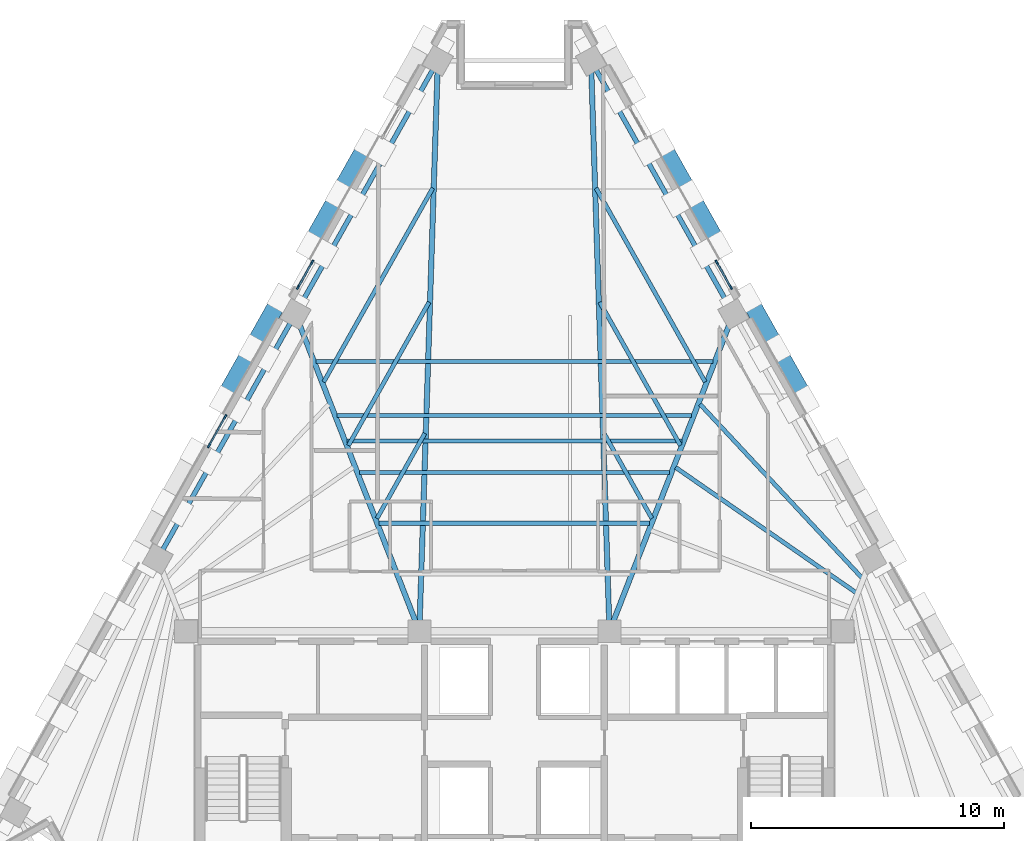
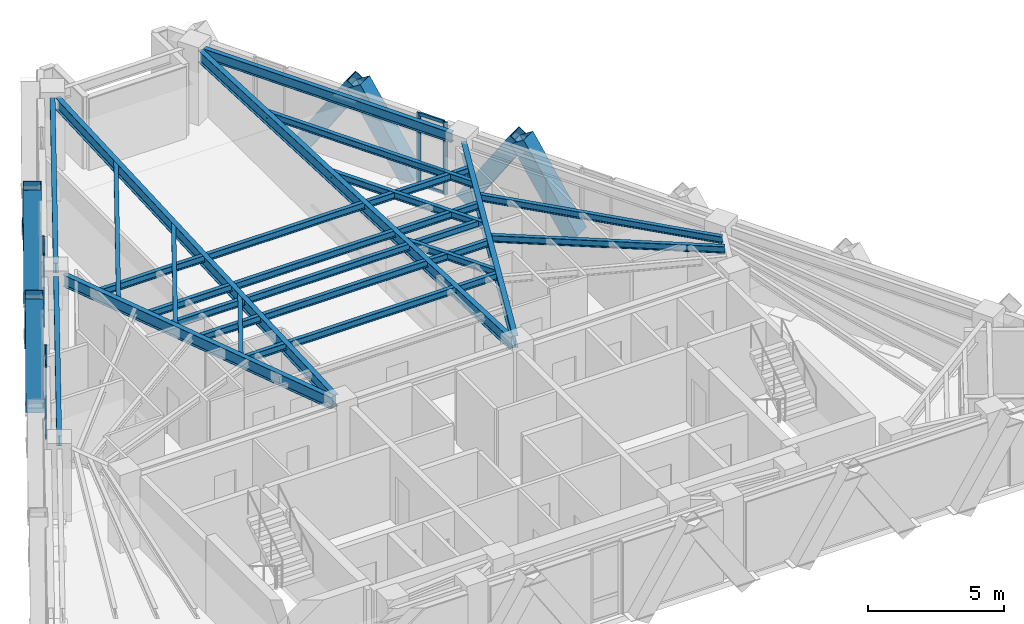
# One storey, part 3 of 12: 23 members, 20 beams, 3 elements without a shape of their own.
"""IFC4 building model written with IfcOpenShell, lengths in metres."""

from ifc_helpers import new_model, si_unit, direction, frame, origin, origin_2d, place, context, subcontext, project, spatial, rectangle, hollow_rectangle, i_section, extrude, material, material_profile, profile_set, type_object, element, aggregate, save


model = new_model("IFC4")

# Units and contexts
model_context = context("Model", 3, precision=1e-05, world=origin(), true_north=direction((0.0, 1.0)))
body_context = subcontext(model_context, "Body", "Model", "MODEL_VIEW")
ifc_project = project(units=[si_unit("LENGTHUNIT", "METRE"), si_unit("AREAUNIT", "SQUARE_METRE"), si_unit("VOLUMEUNIT", "CUBIC_METRE"), si_unit("PLANEANGLEUNIT", "RADIAN"), si_unit("MASSUNIT", "GRAM", prefix="KILO")], contexts=[model_context])

# Site, building, storey
site_placement = place(None, origin())
site = spatial("IfcSite", under=ifc_project, at=site_placement, CompositionType="ELEMENT")
building_placement = place(site_placement, origin())
building = spatial("IfcBuilding", under=site, at=building_placement, Name="Quenlor Broadcast Tower", CompositionType="ELEMENT")
storey_placement = place(building_placement, frame((0.0, 0.0, 186.89990234375)))
storey = spatial("IfcBuildingStorey", under=building, at=storey_placement, Name="L51", CompositionType="ELEMENT", Elevation=186.89990234375)

# Curtain wall, members
ifc_material_1 = material(Name="Architectural Terracotta and Low-E Glazing", Category="masonry")
curtain_wall_type = type_object("IfcCurtainWallType", Name="Unitised Terracotta Curtain Wall System Z4", PredefinedType="NOTDEFINED", material=ifc_material_1)
curtain_wall_1_placement = place(storey_placement, origin())
curtain_wall_1 = element("IfcCurtainWall", 1, at=curtain_wall_1_placement, inside=storey, type_object=curtain_wall_type, Name="L51 Curtain Wall CW4 (L51-NEA-G2)", PredefinedType="NOTDEFINED")
ifc_material_2 = material(Name="Aluminium 6063-T6", Category="aluminium")
ifc_material_profile_1 = material_profile(ifc_material_2, rectangle(XDim=0.068115234375, YDim=0.179931640625, at=origin_2d()))
ifc_profile_set_1 = profile_set([ifc_material_profile_1], Name="Aluminium 6063-T6 MULL68x180")
member_type_1 = type_object("IfcMemberType", Name="CW4 Aluminium Mullion MULL_CW4", PredefinedType="MULLION", material=ifc_profile_set_1)
member_1_placement = place(storey_placement, frame((7.979248046875, 9.755859375, 0.0), z_axis=(0.0, 0.0, 1.0), x_axis=(0.871557755022, 0.490292850918, 0.0)))
member_1 = element("IfcMember", 2, at=member_1_placement, type_object=member_type_1, Name="CW4 mullion 1", PredefinedType="MULLION", context=body_context, shape_type="SweptSolid", body=[
    extrude(rectangle(XDim=0.068115234375, YDim=0.179931640625, at=origin_2d()), origin(), (0.0, 0.0, 1.0), 3.25),
])
member_2_placement = place(storey_placement, frame((8.534912109375, 8.767822265625, 0.0), z_axis=(0.0, 0.0, 1.0), x_axis=(0.871557755022, 0.490292850918, 0.0)))
member_2 = element("IfcMember", 3, at=member_2_placement, type_object=member_type_1, Name="CW4 mullion 2", PredefinedType="MULLION", context=body_context, shape_type="SweptSolid", body=[
    extrude(rectangle(XDim=0.068115234375, YDim=0.179931640625, at=origin_2d()), origin(), (0.0, 0.0, 1.0), 3.25),
])

curtain_wall_2_placement = place(storey_placement, origin())
curtain_wall_2 = element("IfcCurtainWall", 4, at=curtain_wall_2_placement, inside=storey, type_object=curtain_wall_type, Name="L51 Curtain Wall CW4 (L51-NWC-G1)", PredefinedType="NOTDEFINED")
member_3_placement = place(storey_placement, frame((-8.534912109375, 8.767822265625, 0.0), z_axis=(0.0, 0.0, 1.0), x_axis=(-0.871557755022, 0.490292850918, 0.0)))
member_3 = element("IfcMember", 5, at=member_3_placement, type_object=member_type_1, Name="CW4 mullion 1", PredefinedType="MULLION", context=body_context, shape_type="SweptSolid", body=[
    extrude(rectangle(XDim=0.068115234375, YDim=0.179931640625, at=origin_2d()), origin(), (0.0, 0.0, 1.0), 3.25),
])
member_4_placement = place(storey_placement, frame((-7.979248046875, 9.755859375, 0.0), z_axis=(0.0, 0.0, 1.0), x_axis=(-0.871557755022, 0.490292850918, 0.0)))
member_4 = element("IfcMember", 6, at=member_4_placement, type_object=member_type_1, Name="CW4 mullion 2", PredefinedType="MULLION", context=body_context, shape_type="SweptSolid", body=[
    extrude(rectangle(XDim=0.068115234375, YDim=0.179931640625, at=origin_2d()), origin(), (0.0, 0.0, 1.0), 3.25),
])

curtain_wall_3_placement = place(storey_placement, origin())
curtain_wall_3 = element("IfcCurtainWall", 7, at=curtain_wall_3_placement, inside=storey, type_object=curtain_wall_type, Name="L51 Curtain Wall CW4 (L51-NW-G1)", PredefinedType="NOTDEFINED")
member_5_placement = place(storey_placement, frame((-12.049560546875, 2.519775390625, 0.0), z_axis=(0.0, 0.0, 1.0), x_axis=(-0.871560008943, 0.490288844266, 0.0)))
member_5 = element("IfcMember", 8, at=member_5_placement, type_object=member_type_1, Name="CW4 mullion 1", PredefinedType="MULLION", context=body_context, shape_type="SweptSolid", body=[
    extrude(rectangle(XDim=0.068115234375, YDim=0.179931640625, at=origin_2d()), origin(), (0.0, 0.0, 1.0), 3.25),
])
member_6_placement = place(storey_placement, frame((-11.408203125, 3.65966796875, 0.0), z_axis=(0.0, 0.0, 1.0), x_axis=(-0.871560008943, 0.490288844266, 0.0)))
member_6 = element("IfcMember", 9, at=member_6_placement, type_object=member_type_1, Name="CW4 mullion 2", PredefinedType="MULLION", context=body_context, shape_type="SweptSolid", body=[
    extrude(rectangle(XDim=0.068115234375, YDim=0.179931640625, at=origin_2d()), origin(), (0.0, 0.0, 1.0), 3.25),
])

# Member
ifc_material_3 = material(Name="Aluminium 6063-T6", Category="aluminium")
ifc_material_profile_2 = material_profile(ifc_material_3, rectangle(XDim=0.068115234375, YDim=0.14990234375, at=origin_2d()))
ifc_profile_set_2 = profile_set([ifc_material_profile_2], Name="Aluminium 6063-T6 TRAN68x150")
member_type_2 = type_object("IfcMemberType", Name="CW4 Aluminium Transom TRAN_CW4", PredefinedType="USERDEFINED", material=ifc_profile_set_2)
member_7_placement = place(storey_placement, frame((7.995849609375, 9.72607421875, 0.0341796875), z_axis=(0.490304750356, -0.871551060913, 0.0), x_axis=(0.871551060913, 0.490304750356, 0.0)))
member_7 = element("IfcMember", 10, at=member_7_placement, type_object=member_type_2, Name="CW4 transom 1.1", ObjectType="TRANSOM", PredefinedType="USERDEFINED", context=body_context, shape_type="SweptSolid", body=[
    extrude(rectangle(XDim=0.068115234375, YDim=0.14990234375, at=origin_2d()), origin(), (0.0, 0.0, 1.0), 1.065673828125),
])

member_8_placement = place(storey_placement, frame((7.995849609375, 9.72607421875, 0.9501953125), z_axis=(0.490304750356, -0.871551060913, 0.0), x_axis=(0.871551060913, 0.490304750356, 0.0)))
member_8 = element("IfcMember", 11, at=member_8_placement, type_object=member_type_2, Name="CW4 transom 1.2", ObjectType="TRANSOM", PredefinedType="USERDEFINED", context=body_context, shape_type="SweptSolid", body=[
    extrude(rectangle(XDim=0.068115234375, YDim=0.14990234375, at=origin_2d()), origin(), (0.0, 0.0, 1.0), 1.065673828125),
])

member_9_placement = place(storey_placement, frame((7.995849609375, 9.72607421875, 3.216064453125), z_axis=(0.490304750356, -0.871551060913, 0.0), x_axis=(0.871551060913, 0.490304750356, 0.0)))
member_9 = element("IfcMember", 12, at=member_9_placement, type_object=member_type_2, Name="CW4 transom 1.3", ObjectType="TRANSOM", PredefinedType="USERDEFINED", context=body_context, shape_type="SweptSolid", body=[
    extrude(rectangle(XDim=0.068115234375, YDim=0.14990234375, at=origin_2d()), origin(), (0.0, 0.0, 1.0), 1.065673828125),
])

aggregate(curtain_wall_1, [member_1, member_2, member_7, member_8, member_9])

member_10_placement = place(storey_placement, frame((-8.518310546875, 8.79736328125, 0.0341796875), z_axis=(0.490304750356, 0.871551060913, 0.0), x_axis=(-0.871551060913, 0.490304750356, 0.0)))
member_10 = element("IfcMember", 13, at=member_10_placement, type_object=member_type_2, Name="CW4 transom 1.1", ObjectType="TRANSOM", PredefinedType="USERDEFINED", context=body_context, shape_type="SweptSolid", body=[
    extrude(rectangle(XDim=0.068115234375, YDim=0.14990234375, at=origin_2d()), origin(), (0.0, 0.0, 1.0), 1.065673828125),
])

member_11_placement = place(storey_placement, frame((-8.518310546875, 8.79736328125, 0.9501953125), z_axis=(0.490304750356, 0.871551060913, 0.0), x_axis=(-0.871551060913, 0.490304750356, 0.0)))
member_11 = element("IfcMember", 14, at=member_11_placement, type_object=member_type_2, Name="CW4 transom 1.2", ObjectType="TRANSOM", PredefinedType="USERDEFINED", context=body_context, shape_type="SweptSolid", body=[
    extrude(rectangle(XDim=0.068115234375, YDim=0.14990234375, at=origin_2d()), origin(), (0.0, 0.0, 1.0), 1.065673828125),
])

member_12_placement = place(storey_placement, frame((-8.518310546875, 8.79736328125, 3.216064453125), z_axis=(0.490304750356, 0.871551060913, 0.0), x_axis=(-0.871551060913, 0.490304750356, 0.0)))
member_12 = element("IfcMember", 15, at=member_12_placement, type_object=member_type_2, Name="CW4 transom 1.3", ObjectType="TRANSOM", PredefinedType="USERDEFINED", context=body_context, shape_type="SweptSolid", body=[
    extrude(rectangle(XDim=0.068115234375, YDim=0.14990234375, at=origin_2d()), origin(), (0.0, 0.0, 1.0), 1.065673828125),
])

aggregate(curtain_wall_2, [member_3, member_4, member_10, member_11, member_12])

member_13_placement = place(storey_placement, frame((-12.032958984375, 2.54931640625, 0.0341796875), z_axis=(0.490233197009, 0.871591310506, 0.0), x_axis=(-0.871591310506, 0.490233197009, 0.0)))
member_13 = element("IfcMember", 16, at=member_13_placement, type_object=member_type_2, Name="CW4 transom 1.1", ObjectType="TRANSOM", PredefinedType="USERDEFINED", context=body_context, shape_type="SweptSolid", body=[
    extrude(rectangle(XDim=0.068115234375, YDim=0.14990234375, at=origin_2d()), origin(), (0.0, 0.0, 1.0), 1.239990234375),
])

member_14_placement = place(storey_placement, frame((-12.032958984375, 2.54931640625, 0.9501953125), z_axis=(0.490233197009, 0.871591310506, 0.0), x_axis=(-0.871591310506, 0.490233197009, 0.0)))
member_14 = element("IfcMember", 17, at=member_14_placement, type_object=member_type_2, Name="CW4 transom 1.2", ObjectType="TRANSOM", PredefinedType="USERDEFINED", context=body_context, shape_type="SweptSolid", body=[
    extrude(rectangle(XDim=0.068115234375, YDim=0.14990234375, at=origin_2d()), origin(), (0.0, 0.0, 1.0), 1.239990234375),
])

member_15_placement = place(storey_placement, frame((-12.032958984375, 2.54931640625, 3.216064453125), z_axis=(0.490233197009, 0.871591310506, 0.0), x_axis=(-0.871591310506, 0.490233197009, 0.0)))
member_15 = element("IfcMember", 18, at=member_15_placement, type_object=member_type_2, Name="CW4 transom 1.3", ObjectType="TRANSOM", PredefinedType="USERDEFINED", context=body_context, shape_type="SweptSolid", body=[
    extrude(rectangle(XDim=0.068115234375, YDim=0.14990234375, at=origin_2d()), origin(), (0.0, 0.0, 1.0), 1.239990234375),
])

aggregate(curtain_wall_3, [member_5, member_6, member_13, member_14, member_15])

# Members
ifc_material_4 = material(Name="Steel S355", Category="steel")
ifc_material_profile_3 = material_profile(ifc_material_4, hollow_rectangle(XDim=0.679931640625, YDim=0.679931640625, WallThickness=0.02490234375, at=origin_2d()))
ifc_profile_set_3 = profile_set([ifc_material_profile_3], Name="Steel S355 RHS680x680x25")
member_type_3 = type_object("IfcMemberType", Name="Perimeter Diagonal Lattice Brace Z3-Z4 Steel S355 RHS680x25", PredefinedType="BRACE", material=ifc_profile_set_3)
member_16_placement = place(storey_placement, frame((5.79345703125, 14.447509765625, -0.119873046875), z_axis=(0.269485495908, -0.479188912076, 0.835317636614), x_axis=(0.871620820774, 0.490180726664, 0.0)))
element("IfcMember", 19, at=member_16_placement, inside=storey, type_object=member_type_3, Name="L51 Perimeter Diamond Lattice NE-C1S", PredefinedType="BRACE", context=body_context, shape_type="SweptSolid", body=[
    extrude(hollow_rectangle(XDim=0.679931640625, YDim=0.679931640625, WallThickness=0.02490234375, at=origin_2d()), origin(), (0.0, 0.0, 1.0), 4.18994140625),
])
member_17_placement = place(storey_placement, frame((9.222412109375, 8.351318359375, -0.119873046875), z_axis=(0.269539530269, -0.479181387144, 0.835304519224), x_axis=(0.871575537125, 0.490261239633, 0.0)))
element("IfcMember", 20, at=member_17_placement, inside=storey, type_object=member_type_3, Name="L51 Perimeter Diamond Lattice NE-C2S", PredefinedType="BRACE", context=body_context, shape_type="SweptSolid", body=[
    extrude(hollow_rectangle(XDim=0.679931640625, YDim=0.679931640625, WallThickness=0.02490234375, at=origin_2d()), origin(), (0.0, 0.0, 1.0), 4.190185546875),
])
for number, where, z_axis, x_axis, name in (
    (21, (8.065673828125, 10.40771484375, -0.119873046875), (-0.269547055694, 0.479136497832, 0.835327840559), (-0.871550060774, -0.49030652817, 0.0), "L51 Perimeter Diamond Lattice NE-C2B"),
    (22, (11.494873046875, 4.3115234375, -0.119873046875), (-0.269547055694, 0.479136497832, 0.835327840559), (-0.871550060774, -0.49030652817, 0.0), "L51 Perimeter Diamond Lattice NE-C3B"),
    (23, (-11.494873046875, 4.3115234375, -0.119873046875), (0.269547055694, 0.479136497832, 0.835327840559), (-0.871550060774, 0.49030652817, 0.0), "L51 Perimeter Diamond Lattice NW-C3S"),
    (24, (-8.065673828125, 10.40771484375, -0.119873046875), (0.269547055694, 0.479136497832, 0.835327840559), (-0.871550060774, 0.49030652817, 0.0), "L51 Perimeter Diamond Lattice NW-C4S"),
):
    element("IfcMember", number, at=place(storey_placement, frame(where, z_axis=z_axis, x_axis=x_axis)), inside=storey, type_object=member_type_3, Name=name, PredefinedType="BRACE", context=body_context, shape_type="SweptSolid", body=[
        extrude(hollow_rectangle(XDim=0.679931640625, YDim=0.679931640625, WallThickness=0.02490234375, at=origin_2d()), origin(), (0.0, 0.0, 1.0), 4.18994140625),
    ])
member_18_placement = place(storey_placement, frame((-9.222412109375, 8.351318359375, -0.119873046875), z_axis=(-0.269539530269, -0.479181387144, 0.835304519224), x_axis=(0.871575537125, -0.490261239633, 0.0)))
element("IfcMember", 25, at=member_18_placement, inside=storey, type_object=member_type_3, Name="L51 Perimeter Diamond Lattice NW-C4B", PredefinedType="BRACE", context=body_context, shape_type="SweptSolid", body=[
    extrude(hollow_rectangle(XDim=0.679931640625, YDim=0.679931640625, WallThickness=0.02490234375, at=origin_2d()), origin(), (0.0, 0.0, 1.0), 4.190185546875),
])
member_19_placement = place(storey_placement, frame((-5.79345703125, 14.447509765625, -0.119873046875), z_axis=(-0.269485495908, -0.479188912076, 0.835317636614), x_axis=(0.871620820774, -0.490180726664, 0.0)))
element("IfcMember", 26, at=member_19_placement, inside=storey, type_object=member_type_3, Name="L51 Perimeter Diamond Lattice NW-C5B", PredefinedType="BRACE", context=body_context, shape_type="SweptSolid", body=[
    extrude(hollow_rectangle(XDim=0.679931640625, YDim=0.679931640625, WallThickness=0.02490234375, at=origin_2d()), origin(), (0.0, 0.0, 1.0), 4.18994140625),
])

# Beams
ifc_material_5 = material(Name="Steel S355", Category="steel")
ifc_material_profile_4 = material_profile(ifc_material_5, i_section(OverallWidth=0.18994140625, OverallDepth=0.453857421875, WebThickness=0.008544921875, FlangeThickness=0.0126953125, FilletRadius=0.011474609375, at=origin_2d()))
ifc_profile_set_4 = profile_set([ifc_material_profile_4], Name="Steel S355 460UB67.1")
beam_type_1 = type_object("IfcBeamType", Name="Perimeter Spandrel Beam Z4 Steel S355 460UB67.1", PredefinedType="SPANDREL", material=ifc_profile_set_4)
for number, where, z_axis, x_axis, name in (
    (27, (8.438720703125, 8.072265625, 3.023193359375), (-0.490281935429, 0.871563895415, 0.0), (-0.871563895415, -0.490281935429, 0.0), "L51 Spandrel Beam NE3-NE4"),
    (28, (-3.221435546875, 17.346923828125, 3.023193359375), (-0.490281935429, -0.871563895415, 0.0), (0.871563895415, -0.490281935429, 0.0), "L51 Spandrel Beam NW1-NW2"),
):
    element("IfcBeam", number, at=place(storey_placement, frame(where, z_axis=z_axis, x_axis=x_axis)), inside=storey, type_object=beam_type_1, Name=name, PredefinedType="SPANDREL", context=body_context, shape_type="SweptSolid", body=[
        extrude(i_section(OverallWidth=0.18994140625, OverallDepth=0.453857421875, WebThickness=0.008544921875, FlangeThickness=0.0126953125, FilletRadius=0.011474609375, at=origin_2d()), origin(), (0.0, 0.0, 1.0), 10.641357421875),
    ])
beam_1_placement = place(storey_placement, frame((-8.840576171875, 7.357666015625, 3.023193359375), z_axis=(-0.490263496537, -0.871574267612, 0.0), x_axis=(0.871574267612, -0.490263496537, 0.0)))
element("IfcBeam", 29, at=beam_1_placement, inside=storey, type_object=beam_type_1, Name="L51 Spandrel Beam NW2-NW3", PredefinedType="SPANDREL", context=body_context, shape_type="SweptSolid", body=[
    extrude(i_section(OverallWidth=0.18994140625, OverallDepth=0.453857421875, WebThickness=0.008544921875, FlangeThickness=0.0126953125, FilletRadius=0.011474609375, at=origin_2d()), origin(), (0.0, 0.0, 1.0), 10.271728515625),
])
ifc_material_6 = material(Name="Steel S355", Category="steel")
ifc_material_profile_5 = material_profile(ifc_material_6, i_section(OverallWidth=0.166015625, OverallDepth=0.30712890625, WebThickness=0.006591796875, FlangeThickness=0.01171875, FilletRadius=0.011474609375, at=origin_2d()))
ifc_profile_set_5 = profile_set([ifc_material_profile_5], Name="Steel S355 310UB46.2")
beam_type_2 = type_object("IfcBeamType", Name="Tower Composite Joist Z4-Z5 Steel S355 310UB46.2", PredefinedType="JOIST", material=ifc_profile_set_5)
beam_2_placement = place(storey_placement, frame((-6.603759765625, 2.708984375, 3.096435546875), z_axis=(1.0, 0.0, 0.0), x_axis=(0.0, 1.0, 0.0)))
element("IfcBeam", 30, at=beam_2_placement, inside=storey, type_object=beam_type_2, Name="L51 Secondary Composite Joist 2", PredefinedType="JOIST", context=body_context, shape_type="SweptSolid", body=[
    extrude(i_section(OverallWidth=0.166015625, OverallDepth=0.30712890625, WebThickness=0.006591796875, FlangeThickness=0.01171875, FilletRadius=0.011474609375, at=origin_2d()), origin(), (0.0, 0.0, 1.0), 13.20751953125),
])
beam_3_placement = place(storey_placement, frame((-5.33251953125, -0.544921875, 3.096435546875), z_axis=(1.0, 0.0, 0.0), x_axis=(0.0, 1.0, 0.0)))
element("IfcBeam", 31, at=beam_3_placement, inside=storey, type_object=beam_type_2, Name="L51 Secondary Composite Joist 3", PredefinedType="JOIST", context=body_context, shape_type="SweptSolid", body=[
    extrude(i_section(OverallWidth=0.166015625, OverallDepth=0.30712890625, WebThickness=0.006591796875, FlangeThickness=0.01171875, FilletRadius=0.011474609375, at=origin_2d()), origin(), (0.0, 0.0, 1.0), 10.6650390625),
])
beam_4_placement = place(storey_placement, frame((-6.11474609375, 1.45751953125, 3.096435546875), z_axis=(1.0, 0.0, 0.0), x_axis=(0.0, 1.0, 0.0)))
element("IfcBeam", 32, at=beam_4_placement, inside=storey, type_object=beam_type_2, Name="L51 Secondary Composite Joist 4", PredefinedType="JOIST", context=body_context, shape_type="SweptSolid", body=[
    extrude(i_section(OverallWidth=0.166015625, OverallDepth=0.30712890625, WebThickness=0.006591796875, FlangeThickness=0.01171875, FilletRadius=0.011474609375, at=origin_2d()), origin(), (0.0, 0.0, 1.0), 12.2294921875),
])
beam_5_placement = place(storey_placement, frame((-6.994873046875, 3.710205078125, 3.096435546875), z_axis=(1.0, 0.0, 0.0), x_axis=(0.0, 1.0, 0.0)))
element("IfcBeam", 33, at=beam_5_placement, inside=storey, type_object=beam_type_2, Name="L51 Secondary Composite Joist 5", PredefinedType="JOIST", context=body_context, shape_type="SweptSolid", body=[
    extrude(i_section(OverallWidth=0.166015625, OverallDepth=0.30712890625, WebThickness=0.006591796875, FlangeThickness=0.01171875, FilletRadius=0.011474609375, at=origin_2d()), origin(), (0.0, 0.0, 1.0), 13.98974609375),
])
beam_6_placement = place(storey_placement, frame((-7.826171875, 5.837646484375, 3.096435546875), z_axis=(1.0, 0.0, 0.0), x_axis=(0.0, 1.0, 0.0)))
element("IfcBeam", 34, at=beam_6_placement, inside=storey, type_object=beam_type_2, Name="L51 Secondary Composite Joist 6", PredefinedType="JOIST", context=body_context, shape_type="SweptSolid", body=[
    extrude(i_section(OverallWidth=0.166015625, OverallDepth=0.30712890625, WebThickness=0.006591796875, FlangeThickness=0.01171875, FilletRadius=0.011474609375, at=origin_2d()), origin(), (0.0, 0.0, 1.0), 15.65234375),
])
beam_7_placement = place(storey_placement, frame((13.470458984375, -3.273681640625, 3.096435546875), z_axis=(-0.821539857981, 0.570151086773, 0.0), x_axis=(-0.570151086773, -0.821539857981, 0.0)))
element("IfcBeam", 35, at=beam_7_placement, inside=storey, type_object=beam_type_2, Name="L51 Secondary Composite Joist 11", PredefinedType="JOIST", context=body_context, shape_type="SweptSolid", body=[
    extrude(i_section(OverallWidth=0.166015625, OverallDepth=0.30712890625, WebThickness=0.006591796875, FlangeThickness=0.01171875, FilletRadius=0.011474609375, at=origin_2d()), origin(), (0.0, 0.0, 1.0), 8.656982421875),
])
beam_8_placement = place(storey_placement, frame((13.707275390625, -2.691162109375, 3.096435546875), z_axis=(-0.682034672805, 0.731319837754, 0.0), x_axis=(-0.731319837754, -0.682034672805, 0.0)))
element("IfcBeam", 36, at=beam_8_placement, inside=storey, type_object=beam_type_2, Name="L51 Secondary Composite Joist 12", PredefinedType="JOIST", context=body_context, shape_type="SweptSolid", body=[
    extrude(i_section(OverallWidth=0.166015625, OverallDepth=0.30712890625, WebThickness=0.006591796875, FlangeThickness=0.01171875, FilletRadius=0.011474609375, at=origin_2d()), origin(), (0.0, 0.0, 1.0), 9.357421875),
])
beam_9_placement = place(storey_placement, frame((-3.533935546875, 3.0068359375, 3.096435546875), z_axis=(-0.490243182397, -0.871585694073, 0.0), x_axis=(0.871585694073, -0.490243182397, 0.0)))
element("IfcBeam", 37, at=beam_9_placement, inside=storey, type_object=beam_type_2, Name="L51 Secondary Composite Joist 25", PredefinedType="JOIST", context=body_context, shape_type="SweptSolid", body=[
    extrude(i_section(OverallWidth=0.166015625, OverallDepth=0.30712890625, WebThickness=0.006591796875, FlangeThickness=0.01171875, FilletRadius=0.011474609375, at=origin_2d()), origin(), (0.0, 0.0, 1.0), 3.8515625),
])
beam_10_placement = place(storey_placement, frame((-3.3662109375, 8.182861328125, 3.096435546875), z_axis=(-0.490230865807, -0.871592621705, 0.0), x_axis=(0.871592621705, -0.490230865807, 0.0)))
element("IfcBeam", 38, at=beam_10_placement, inside=storey, type_object=beam_type_2, Name="L51 Secondary Composite Joist 26", PredefinedType="JOIST", context=body_context, shape_type="SweptSolid", body=[
    extrude(i_section(OverallWidth=0.166015625, OverallDepth=0.30712890625, WebThickness=0.006591796875, FlangeThickness=0.01171875, FilletRadius=0.011474609375, at=origin_2d()), origin(), (0.0, 0.0, 1.0), 6.487548828125),
])
beam_11_placement = place(storey_placement, frame((-3.22021484375, 12.68359375, 3.096435546875), z_axis=(-0.490261239633, -0.871575537125, 0.0), x_axis=(0.871575537125, -0.490261239633, 0.0)))
element("IfcBeam", 39, at=beam_11_placement, inside=storey, type_object=beam_type_2, Name="L51 Secondary Composite Joist 27", PredefinedType="JOIST", context=body_context, shape_type="SweptSolid", body=[
    extrude(i_section(OverallWidth=0.166015625, OverallDepth=0.30712890625, WebThickness=0.006591796875, FlangeThickness=0.01171875, FilletRadius=0.011474609375, at=origin_2d()), origin(), (0.0, 0.0, 1.0), 8.77978515625),
])
beam_12_placement = place(storey_placement, frame((3.533935546875, 3.0068359375, 3.096435546875), z_axis=(0.490243182397, -0.871585694073, 0.0), x_axis=(0.871585694073, 0.490243182397, 0.0)))
element("IfcBeam", 40, at=beam_12_placement, inside=storey, type_object=beam_type_2, Name="L51 Secondary Composite Joist 28", PredefinedType="JOIST", context=body_context, shape_type="SweptSolid", body=[
    extrude(i_section(OverallWidth=0.166015625, OverallDepth=0.30712890625, WebThickness=0.006591796875, FlangeThickness=0.01171875, FilletRadius=0.011474609375, at=origin_2d()), origin(), (0.0, 0.0, 1.0), 3.8515625),
])
beam_13_placement = place(storey_placement, frame((3.3662109375, 8.182861328125, 3.096435546875), z_axis=(0.490230865807, -0.871592621705, 0.0), x_axis=(0.871592621705, 0.490230865807, 0.0)))
element("IfcBeam", 41, at=beam_13_placement, inside=storey, type_object=beam_type_2, Name="L51 Secondary Composite Joist 29", PredefinedType="JOIST", context=body_context, shape_type="SweptSolid", body=[
    extrude(i_section(OverallWidth=0.166015625, OverallDepth=0.30712890625, WebThickness=0.006591796875, FlangeThickness=0.01171875, FilletRadius=0.011474609375, at=origin_2d()), origin(), (0.0, 0.0, 1.0), 6.487548828125),
])
beam_14_placement = place(storey_placement, frame((3.22021484375, 12.68359375, 3.096435546875), z_axis=(0.490261239633, -0.871575537125, 0.0), x_axis=(0.871575537125, 0.490261239633, 0.0)))
element("IfcBeam", 42, at=beam_14_placement, inside=storey, type_object=beam_type_2, Name="L51 Secondary Composite Joist 30", PredefinedType="JOIST", context=body_context, shape_type="SweptSolid", body=[
    extrude(i_section(OverallWidth=0.166015625, OverallDepth=0.30712890625, WebThickness=0.006591796875, FlangeThickness=0.01171875, FilletRadius=0.011474609375, at=origin_2d()), origin(), (0.0, 0.0, 1.0), 8.77978515625),
])
ifc_material_7 = material(Name="Steel S355", Category="steel")
ifc_material_profile_6 = material_profile(ifc_material_7, i_section(OverallWidth=0.208984375, OverallDepth=0.5283203125, WebThickness=0.009521484375, FlangeThickness=0.01318359375, FilletRadius=0.013916015625, at=origin_2d()))
ifc_profile_set_6 = profile_set([ifc_material_profile_6], Name="Steel S355 530UB82.0")
beam_type_3 = type_object("IfcBeamType", Name="Tower Primary Floor Beam Z4 Steel S355 530UB82.0", PredefinedType="BEAM", material=ifc_profile_set_6)
beam_15_placement = place(storey_placement, frame((8.490478515625, 7.3330078125, 2.986083984375), z_axis=(-0.363926160921, -0.931427801495, 0.0), x_axis=(0.931427801495, -0.363926160921, 0.0)))
element("IfcBeam", 43, at=beam_15_placement, inside=storey, type_object=beam_type_3, Name="L51 Primary Radial Beam NE3", PredefinedType="BEAM", context=body_context, shape_type="SweptSolid", body=[
    extrude(i_section(OverallWidth=0.208984375, OverallDepth=0.5283203125, WebThickness=0.009521484375, FlangeThickness=0.01318359375, FilletRadius=0.013916015625, at=origin_2d()), origin(), (0.0, 0.0, 1.0), 12.646240234375),
])
for number, where, z_axis, x_axis, name in (
    (44, (3.03369140625, 17.29443359375, 2.986083984375), (0.032408228632, -0.999474715397, 0.0), (0.999474715397, 0.032408228632, 0.0), "L51 Primary Radial Beam NE4"),
    (45, (-3.03369140625, 17.29443359375, 2.986083984375), (-0.032408228632, -0.999474715397, 0.0), (0.999474715397, -0.032408228632, 0.0), "L51 Primary Radial Beam NW1"),
):
    element("IfcBeam", number, at=place(storey_placement, frame(where, z_axis=z_axis, x_axis=x_axis)), inside=storey, type_object=beam_type_3, Name=name, PredefinedType="BEAM", context=body_context, shape_type="SweptSolid", body=[
        extrude(i_section(OverallWidth=0.208984375, OverallDepth=0.5283203125, WebThickness=0.009521484375, FlangeThickness=0.01318359375, FilletRadius=0.013916015625, at=origin_2d()), origin(), (0.0, 0.0, 1.0), 21.72607421875),
    ])
beam_16_placement = place(storey_placement, frame((-8.490478515625, 7.3330078125, 2.986083984375), z_axis=(0.363926160921, -0.931427801495, 0.0), x_axis=(0.931427801495, 0.363926160921, 0.0)))
element("IfcBeam", 46, at=beam_16_placement, inside=storey, type_object=beam_type_3, Name="L51 Primary Radial Beam NW2", PredefinedType="BEAM", context=body_context, shape_type="SweptSolid", body=[
    extrude(i_section(OverallWidth=0.208984375, OverallDepth=0.5283203125, WebThickness=0.009521484375, FlangeThickness=0.01318359375, FilletRadius=0.013916015625, at=origin_2d()), origin(), (0.0, 0.0, 1.0), 12.646240234375),
])

save(model, "model.ifc")
